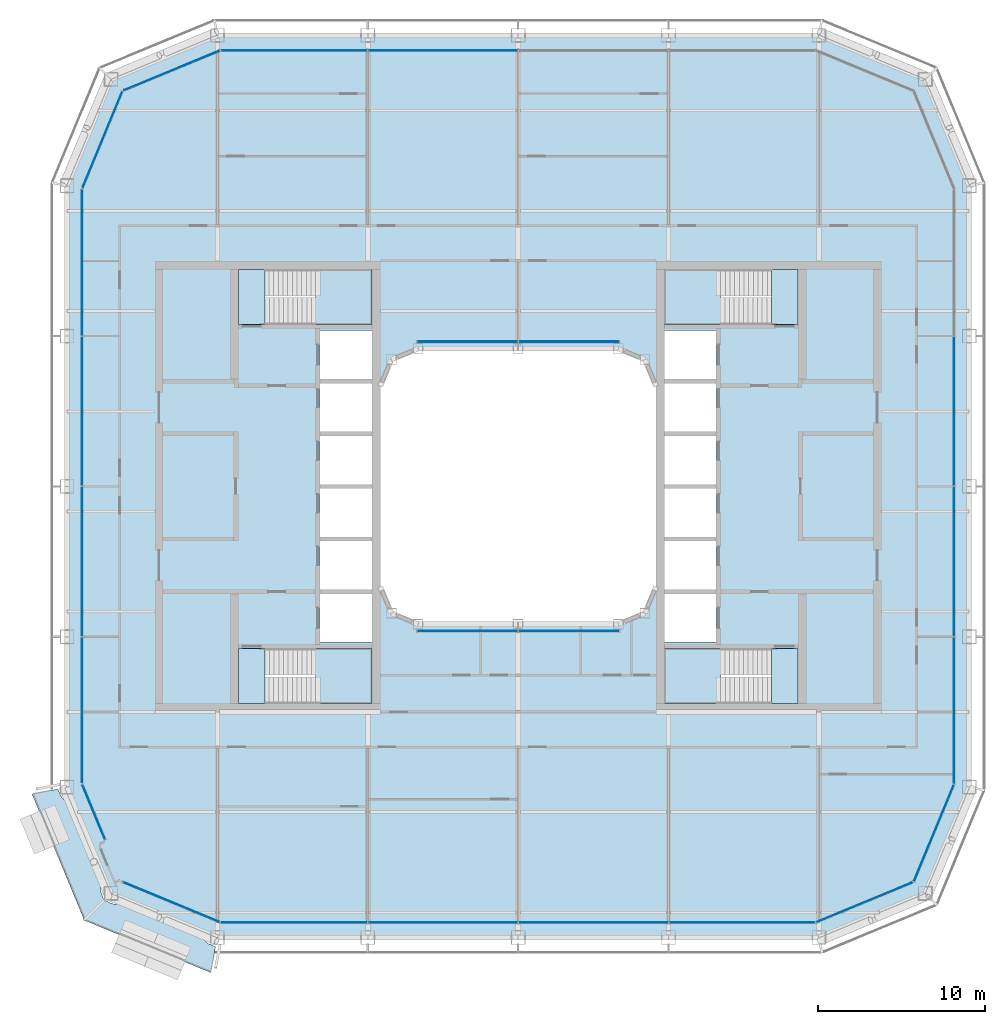
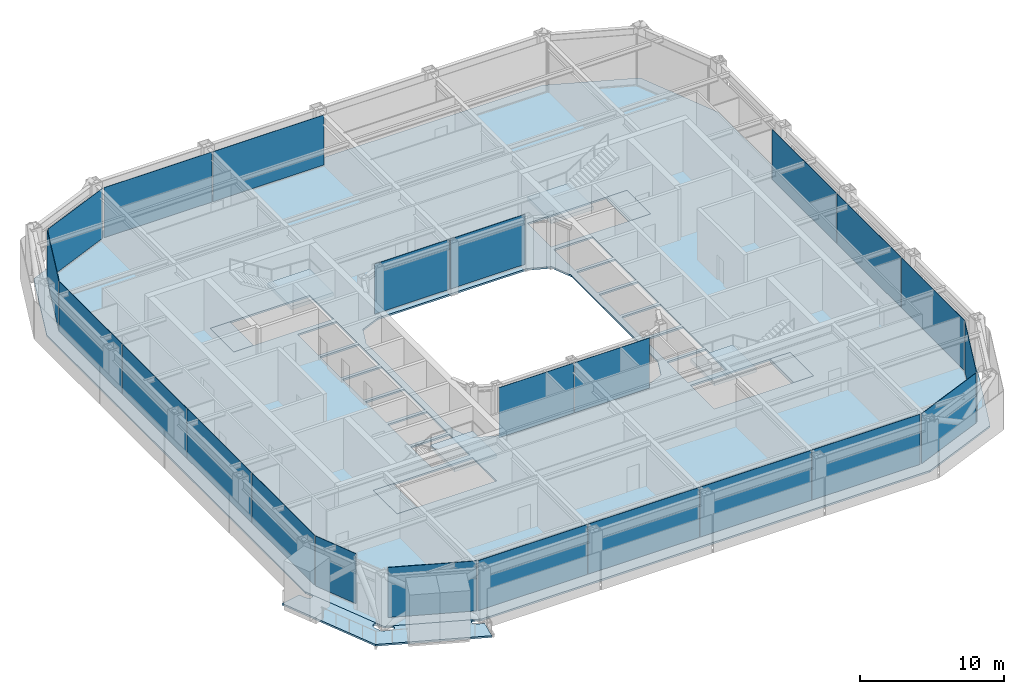
# One storey, part 11 of 23: 23 plates, 10 slabs, 16 elements without a shape of their own.
"""IFC4 building model written with IfcOpenShell, lengths in metres."""

from ifc_helpers import new_model, si_unit, direction, frame, origin, origin_2d, place, context, subcontext, project, spatial, polyline, rectangle, outline, extrude, material, layer, layer_set, type_object, element, aggregate, save


model = new_model("IFC4")

# Units and contexts
model_context = context("Model", 3, precision=1e-05, world=origin(), true_north=direction((0.0, 1.0)))
body_context = subcontext(model_context, "Body", "Model", "MODEL_VIEW")
ifc_project = project(units=[si_unit("LENGTHUNIT", "METRE"), si_unit("AREAUNIT", "SQUARE_METRE"), si_unit("VOLUMEUNIT", "CUBIC_METRE"), si_unit("PLANEANGLEUNIT", "RADIAN"), si_unit("MASSUNIT", "GRAM", prefix="KILO")], contexts=[model_context])

# Site, building, storey
site_placement = place(None, origin())
site = spatial("IfcSite", under=ifc_project, at=site_placement, CompositionType="ELEMENT")
building_placement = place(site_placement, origin())
building = spatial("IfcBuilding", under=site, at=building_placement, Name="Siwar Civic Tower", CompositionType="ELEMENT")
storey_placement = place(building_placement, frame((0.0, 0.0, 233.199951171875)))
storey = spatial("IfcBuildingStorey", under=building, at=storey_placement, Name="L50", CompositionType="ELEMENT", Elevation=233.199951171875)

# Stair, slabs
ifc_material_1 = material(Name="Concrete C40/50", Category="concrete")
stair_type = type_object("IfcStairType", Name="CORE-STAIR", PredefinedType="TWO_STRAIGHT_RUN_STAIR", material=ifc_material_1)
stair_1_placement = place(storey_placement, origin())
stair_1 = element("IfcStair", 1, at=stair_1_placement, inside=storey, type_object=stair_type, Name="Exit stair ST1", PredefinedType="TWO_STRAIGHT_RUN_STAIR")
ifc_material_2 = material(Name="Concrete C40/50", Category="concrete")
ifc_layer_1 = layer(ifc_material_2, 0.300048828125)
ifc_layer_set_1 = layer_set([ifc_layer_1], Name="Concrete C40/50")
slab_type_1 = type_object("IfcSlabType", Name="CORE-STAIR-LANDING", PredefinedType="LANDING", material=ifc_layer_set_1)
slab_1_placement = place(storey_placement, frame((0.0, 0.0, -0.300048828125)))
slab_1 = element("IfcSlab", 2, at=slab_1_placement, type_object=slab_type_1, Name="ST1 landing 1", PredefinedType="LANDING", context=body_context, shape_type="SweptSolid", body=[
    extrude(outline(polyline([(-15.14990234375, 13.0), (-16.75, 13.0), (-16.75, 9.699951171875), (-15.14990234375, 9.699951171875), (-15.14990234375, 13.0)])), origin(), (0.0, 0.0, 1.0), 0.300048828125),
])
slab_2_placement = place(storey_placement, frame((0.0, 0.0, 1.949951171875)))
slab_2 = element("IfcSlab", 3, at=slab_2_placement, type_object=slab_type_1, Name="ST1 landing 2", PredefinedType="LANDING", context=body_context, shape_type="SweptSolid", body=[
    extrude(outline(polyline([(-8.75, 13.0), (-12.139892578125, 13.0), (-12.139892578125, 9.699951171875), (-8.75, 9.699951171875), (-8.75, 13.0)])), origin(), (0.0, 0.0, 1.0), 0.300048828125),
])
aggregate(stair_1, [slab_1, slab_2])

stair_2_placement = place(storey_placement, origin())
stair_2 = element("IfcStair", 4, at=stair_2_placement, inside=storey, type_object=stair_type, Name="Exit stair ST2", PredefinedType="TWO_STRAIGHT_RUN_STAIR")
slab_3_placement = place(storey_placement, frame((0.0, 0.0, -0.300048828125)))
slab_3 = element("IfcSlab", 5, at=slab_3_placement, type_object=slab_type_1, Name="ST2 landing 1", PredefinedType="LANDING", context=body_context, shape_type="SweptSolid", body=[
    extrude(outline(polyline([(-15.14990234375, -9.699951171875), (-16.75, -9.699951171875), (-16.75, -13.0), (-15.14990234375, -13.0), (-15.14990234375, -9.699951171875)])), origin(), (0.0, 0.0, 1.0), 0.300048828125),
])
slab_4_placement = place(storey_placement, frame((0.0, 0.0, 1.949951171875)))
slab_4 = element("IfcSlab", 6, at=slab_4_placement, type_object=slab_type_1, Name="ST2 landing 2", PredefinedType="LANDING", context=body_context, shape_type="SweptSolid", body=[
    extrude(outline(polyline([(-8.75, -9.699951171875), (-12.139892578125, -9.699951171875), (-12.139892578125, -13.0), (-8.75, -13.0), (-8.75, -9.699951171875)])), origin(), (0.0, 0.0, 1.0), 0.300048828125),
])
aggregate(stair_2, [slab_3, slab_4])

stair_3_placement = place(storey_placement, origin())
stair_3 = element("IfcStair", 7, at=stair_3_placement, inside=storey, type_object=stair_type, Name="Exit stair ST3", PredefinedType="TWO_STRAIGHT_RUN_STAIR")
slab_5_placement = place(storey_placement, frame((0.0, 0.0, -0.300048828125)))
slab_5 = element("IfcSlab", 8, at=slab_5_placement, type_object=slab_type_1, Name="ST3 landing 1", PredefinedType="LANDING", context=body_context, shape_type="SweptSolid", body=[
    extrude(outline(polyline([(15.14990234375, 9.699951171875), (16.75, 9.699951171875), (16.75, 13.0), (15.14990234375, 13.0), (15.14990234375, 9.699951171875)])), origin(), (0.0, 0.0, 1.0), 0.300048828125),
])
slab_6_placement = place(storey_placement, frame((0.0, 0.0, 1.949951171875)))
slab_6 = element("IfcSlab", 9, at=slab_6_placement, type_object=slab_type_1, Name="ST3 landing 2", PredefinedType="LANDING", context=body_context, shape_type="SweptSolid", body=[
    extrude(outline(polyline([(8.75, 9.699951171875), (12.139892578125, 9.699951171875), (12.139892578125, 13.0), (8.75, 13.0), (8.75, 9.699951171875)])), origin(), (0.0, 0.0, 1.0), 0.300048828125),
])
aggregate(stair_3, [slab_5, slab_6])

stair_4_placement = place(storey_placement, origin())
stair_4 = element("IfcStair", 10, at=stair_4_placement, inside=storey, type_object=stair_type, Name="Exit stair ST4", PredefinedType="TWO_STRAIGHT_RUN_STAIR")
slab_7_placement = place(storey_placement, frame((0.0, 0.0, -0.300048828125)))
slab_7 = element("IfcSlab", 11, at=slab_7_placement, type_object=slab_type_1, Name="ST4 landing 1", PredefinedType="LANDING", context=body_context, shape_type="SweptSolid", body=[
    extrude(outline(polyline([(15.14990234375, -13.0), (16.75, -13.0), (16.75, -9.699951171875), (15.14990234375, -9.699951171875), (15.14990234375, -13.0)])), origin(), (0.0, 0.0, 1.0), 0.300048828125),
])
slab_8_placement = place(storey_placement, frame((0.0, 0.0, 1.949951171875)))
slab_8 = element("IfcSlab", 12, at=slab_8_placement, type_object=slab_type_1, Name="ST4 landing 2", PredefinedType="LANDING", context=body_context, shape_type="SweptSolid", body=[
    extrude(outline(polyline([(8.75, -13.0), (12.139892578125, -13.0), (12.139892578125, -9.699951171875), (8.75, -9.699951171875), (8.75, -13.0)])), origin(), (0.0, 0.0, 1.0), 0.300048828125),
])
aggregate(stair_4, [slab_7, slab_8])

# Slab
ifc_material_3 = material(Name="Concrete C40/50", Category="concrete")
ifc_layer_2 = layer(ifc_material_3, 0.14990234375)
ifc_layer_set_2 = layer_set([ifc_layer_2], Name="Concrete C40/50")
slab_type_2 = type_object("IfcSlabType", Name="ENV-BALCONY DECK 150", PredefinedType="FLOOR", material=ifc_layer_set_2)
slab_9_placement = place(storey_placement, frame((0.0, 0.0, -0.1494140625)))
element("IfcSlab", 13, at=slab_9_placement, inside=storey, type_object=slab_type_2, Name="Tree balcony deck SW", PredefinedType="FLOOR", context=body_context, shape_type="SweptSolid", body=[
    extrude(outline(polyline([(-24.66552734375, -24.81689453125), (-24.6796875, -24.808837890625), (-24.68701171875, -24.80419921875), (-24.693603515625, -24.798583984375), (-24.7041015625, -24.7890625), (-24.7890625, -24.7890625), (-24.7890625, -24.712646484375), (-24.801025390625, -24.695556640625), (-24.806640625, -24.686279296875), (-24.818603515625, -24.662353515625), (-24.82080078125, -24.657470703125), (-24.82080078125, -24.657470703125), (-24.82080078125, -24.657470703125), (-24.82080078125, -24.657470703125), (-24.82080078125, -24.657470703125), (-24.82421875, -24.649658203125), (-24.924560546875, -24.40869140625), (-24.94384765625, -24.362060546875), (-24.94482421875, -24.35986328125), (-24.96533203125, -24.305419921875), (-24.967041015625, -24.300537109375), (-24.98388671875, -24.244873046875), (-24.985595703125, -24.238037109375), (-24.99560546875, -24.189208984375), (-24.99658203125, -24.183837890625), (-25.002685546875, -24.13427734375), (-25.003173828125, -24.12890625), (-25.006103515625, -24.0791015625), (-25.006103515625, -24.073974609375), (-25.005615234375, -24.024169921875), (-25.00537109375, -24.0185546875), (-25.004638671875, -24.0126953125), (-24.99755859375, -23.970947265625), (-24.995849609375, -23.96337890625), (-24.993408203125, -23.9560546875), (-24.98046875, -23.922607421875), (-24.978271484375, -23.91748046875), (-24.962646484375, -23.88525390625), (-24.96044921875, -23.880615234375), (-24.942626953125, -23.849365234375), (-24.93896484375, -23.84326171875), (-24.9345703125, -23.837646484375), (-24.9296875, -23.83251953125), (-24.906982421875, -23.810546875), (-24.900634765625, -23.804931640625), (-24.8935546875, -23.80029296875), (-24.885986328125, -23.796142578125), (-24.85888671875, -23.78369140625), (-24.85400390625, -23.78173828125), (-24.826171875, -23.771240234375), (-24.818115234375, -23.768798828125), (-24.8095703125, -23.76708984375), (-24.80126953125, -23.7666015625), (-24.769775390625, -23.765869140625), (-24.762451171875, -23.76611328125), (-24.75537109375, -23.766845703125), (-24.74853515625, -23.7685546875), (-24.7138671875, -23.77783203125), (-24.708984375, -23.779541015625), (-24.675048828125, -23.791259765625), (-24.669921875, -23.793212890625), (-24.636962890625, -23.8076171875), (-24.630126953125, -23.81103515625), (-24.62353515625, -23.815185546875), (-24.5888671875, -23.839599609375), (-24.58447265625, -23.84326171875), (-24.580078125, -23.846923828125), (-24.57666015625, -23.85009765625), (-26.77978515625, -18.531494140625), (-26.7802734375, -18.5654296875), (-26.780517578125, -18.5712890625), (-26.78125, -18.576904296875), (-26.788330078125, -18.61865234375), (-26.789794921875, -18.626220703125), (-26.792236328125, -18.633544921875), (-26.805419921875, -18.6669921875), (-26.8076171875, -18.672119140625), (-26.822998046875, -18.70458984375), (-26.825439453125, -18.709228515625), (-26.84326171875, -18.740234375), (-26.846923828125, -18.746337890625), (-26.851318359375, -18.751953125), (-26.856201171875, -18.75732421875), (-26.87890625, -18.779052734375), (-26.88525390625, -18.78466796875), (-26.892333984375, -18.78955078125), (-26.899658203125, -18.79345703125), (-26.927001953125, -18.805908203125), (-26.931884765625, -18.80810546875), (-26.959716796875, -18.818603515625), (-26.9677734375, -18.821044921875), (-26.97607421875, -18.82275390625), (-26.984619140625, -18.8232421875), (-27.01611328125, -18.823974609375), (-27.023193359375, -18.82373046875), (-27.0302734375, -18.82275390625), (-27.037353515625, -18.8212890625), (-27.072021484375, -18.811767578125), (-27.076904296875, -18.810302734375), (-27.11083984375, -18.79833984375), (-27.115966796875, -18.79638671875), (-27.14892578125, -18.7822265625), (-27.15576171875, -18.77880859375), (-27.162353515625, -18.774658203125), (-27.197021484375, -18.75), (-27.201416015625, -18.74658203125), (-27.205810546875, -18.74267578125), (-27.241455078125, -18.7080078125), (-27.2451171875, -18.704345703125), (-27.278564453125, -18.667236328125), (-27.281982421875, -18.663330078125), (-27.312744140625, -18.623779296875), (-27.31591796875, -18.619384765625), (-27.343505859375, -18.577880859375), (-27.34716796875, -18.57177734375), (-27.374755859375, -18.520751953125), (-27.377197265625, -18.51611328125), (-27.4013671875, -18.463134765625), (-27.40234375, -18.4609375), (-27.405517578125, -18.453125), (-27.417236328125, -18.425048828125), (-27.425048828125, -18.425048828125), (-27.425048828125, -18.406494140625), (-27.522216796875, -18.17333984375), (-27.525390625, -18.16552734375), (-27.525390625, -18.16552734375), (-27.52783203125, -18.15869140625), (-27.533935546875, -18.13916015625), (-27.53564453125, -18.13232421875), (-27.53662109375, -18.12548828125), (-27.538818359375, -18.107177734375), (-29.10009765625, -18.417724609375), (-25.97119140625, -25.97119140625), (-18.417724609375, -29.10009765625), (-18.106689453125, -27.5361328125), (-18.107421875, -27.5361328125), (-18.1240234375, -27.535400390625), (-18.1328125, -27.53466796875), (-18.141357421875, -27.53271484375), (-18.156982421875, -27.5283203125), (-18.16552734375, -27.525390625), (-18.170166015625, -27.5234375), (-18.17333984375, -27.522216796875), (-18.18896484375, -27.515625), (-18.227783203125, -27.49951171875), (-18.240234375, -27.494140625), (-18.406494140625, -27.425048828125), (-18.425048828125, -27.425048828125), (-18.425048828125, -27.417236328125), (-18.453125, -27.405517578125), (-18.4609375, -27.40234375), (-18.463134765625, -27.4013671875), (-18.51611328125, -27.377197265625), (-18.520751953125, -27.374755859375), (-18.57177734375, -27.34716796875), (-18.577880859375, -27.343505859375), (-18.619384765625, -27.31591796875), (-18.623779296875, -27.312744140625), (-18.663330078125, -27.281982421875), (-18.667236328125, -27.278564453125), (-18.704345703125, -27.2451171875), (-18.7080078125, -27.241455078125), (-18.74267578125, -27.205810546875), (-18.74658203125, -27.201416015625), (-18.75, -27.197021484375), (-18.774658203125, -27.162353515625), (-18.77880859375, -27.15576171875), (-18.7822265625, -27.14892578125), (-18.79638671875, -27.115966796875), (-18.79833984375, -27.11083984375), (-18.810302734375, -27.076904296875), (-18.811767578125, -27.072021484375), (-18.8212890625, -27.037353515625), (-18.82275390625, -27.0302734375), (-18.82373046875, -27.023193359375), (-18.823974609375, -27.01611328125), (-18.8232421875, -26.984619140625), (-18.82275390625, -26.97607421875), (-18.821044921875, -26.9677734375), (-18.818603515625, -26.959716796875), (-18.80810546875, -26.931884765625), (-18.805908203125, -26.927001953125), (-18.79345703125, -26.899658203125), (-18.78955078125, -26.892333984375), (-18.78466796875, -26.88525390625), (-18.779052734375, -26.87890625), (-18.75732421875, -26.856201171875), (-18.751953125, -26.851318359375), (-18.746337890625, -26.846923828125), (-18.740234375, -26.84326171875), (-18.709228515625, -26.825439453125), (-18.70458984375, -26.822998046875), (-18.672119140625, -26.8076171875), (-18.6669921875, -26.805419921875), (-18.633544921875, -26.792236328125), (-18.626220703125, -26.789794921875), (-18.61865234375, -26.788330078125), (-18.576904296875, -26.78125), (-18.5712890625, -26.780517578125), (-18.5654296875, -26.7802734375), (-18.531494140625, -26.77978515625), (-23.85009765625, -24.57666015625), (-23.846923828125, -24.580078125), (-23.84326171875, -24.58447265625), (-23.839599609375, -24.5888671875), (-23.815185546875, -24.62353515625), (-23.81103515625, -24.630126953125), (-23.8076171875, -24.636962890625), (-23.793212890625, -24.669921875), (-23.791259765625, -24.675048828125), (-23.779541015625, -24.708984375), (-23.77783203125, -24.7138671875), (-23.7685546875, -24.74853515625), (-23.766845703125, -24.75537109375), (-23.76611328125, -24.762451171875), (-23.765869140625, -24.769775390625), (-23.7666015625, -24.80126953125), (-23.76708984375, -24.8095703125), (-23.768798828125, -24.818115234375), (-23.771240234375, -24.826171875), (-23.78173828125, -24.85400390625), (-23.78369140625, -24.85888671875), (-23.796142578125, -24.885986328125), (-23.80029296875, -24.8935546875), (-23.804931640625, -24.900634765625), (-23.810546875, -24.906982421875), (-23.83251953125, -24.9296875), (-23.837646484375, -24.9345703125), (-23.84326171875, -24.93896484375), (-23.849365234375, -24.942626953125), (-23.880615234375, -24.96044921875), (-23.88525390625, -24.962646484375), (-23.91748046875, -24.978271484375), (-23.922607421875, -24.98046875), (-23.9560546875, -24.993408203125), (-23.96337890625, -24.995849609375), (-23.970947265625, -24.99755859375), (-24.0126953125, -25.004638671875), (-24.0185546875, -25.00537109375), (-24.024169921875, -25.005615234375), (-24.073974609375, -25.006103515625), (-24.0791015625, -25.006103515625), (-24.12890625, -25.003173828125), (-24.13427734375, -25.002685546875), (-24.183837890625, -24.99658203125), (-24.189208984375, -24.99560546875), (-24.238037109375, -24.985595703125), (-24.244873046875, -24.98388671875), (-24.300537109375, -24.967041015625), (-24.305419921875, -24.96533203125), (-24.35986328125, -24.94482421875), (-24.362060546875, -24.94384765625), (-24.40869140625, -24.924560546875), (-24.649658203125, -24.82421875), (-24.657470703125, -24.82080078125), (-24.66552734375, -24.81689453125)])), origin(), (0.0, 0.0, 1.0), 0.1494140625),
])

# Curtain wall, plates
ifc_material_4 = material(Name="Aluminium and glass", Category="aluminium")
ifc_layer_3 = layer(ifc_material_4, 0.179931640625)
ifc_layer_set_3 = layer_set([ifc_layer_3], Name="Aluminium and glass")
curtain_wall_type_1 = type_object("IfcCurtainWallType", Name="ENV-CW-C", PredefinedType="NOTDEFINED", material=ifc_layer_set_3)
curtain_wall_1_placement = place(storey_placement, origin())
curtain_wall_1 = element("IfcCurtainWall", 14, at=curtain_wall_1_placement, inside=storey, type_object=curtain_wall_type_1, Name="Curtain wall C S", PredefinedType="NOTDEFINED")
ifc_material_5 = material(Name="Glass clear laminated", Category="glass")
ifc_layer_4 = layer(ifc_material_5, 0.031982421875)
ifc_layer_set_4 = layer_set([ifc_layer_4], Name="Glass clear laminated")
plate_type_1 = type_object("IfcPlateType", Name="ENV-PANEL-C", PredefinedType="CURTAIN_PANEL", material=ifc_layer_set_4)
plate_1_placement = place(storey_placement, frame((-13.410400390625, -26.10009765625, 0.10009765625), z_axis=(0.0, 0.0, 1.0), x_axis=(1.0, 0.0, 0.0)))
plate_1 = element("IfcPlate", 15, at=plate_1_placement, type_object=plate_type_1, Name="Curtain panel C S 1", PredefinedType="CURTAIN_PANEL", context=body_context, shape_type="SweptSolid", body=[
    extrude(rectangle(XDim=8.760986328125, YDim=0.031982421875, at=origin_2d()), origin(), (0.0, 0.0, 1.0), 4.25),
])
plate_2_placement = place(storey_placement, frame((-4.5, -26.10009765625, 0.10009765625), z_axis=(0.0, 0.0, 1.0), x_axis=(1.0, 0.0, 0.0)))
plate_2 = element("IfcPlate", 16, at=plate_2_placement, type_object=plate_type_1, Name="Curtain panel C S 2", PredefinedType="CURTAIN_PANEL", context=body_context, shape_type="SweptSolid", body=[
    extrude(rectangle(XDim=8.93994140625, YDim=0.031982421875, at=origin_2d()), origin(), (0.0, 0.0, 1.0), 4.25),
])
plate_3_placement = place(storey_placement, frame((4.5, -26.10009765625, 0.10009765625), z_axis=(0.0, 0.0, 1.0), x_axis=(1.0, 0.0, 0.0)))
plate_3 = element("IfcPlate", 17, at=plate_3_placement, type_object=plate_type_1, Name="Curtain panel C S 3", PredefinedType="CURTAIN_PANEL", context=body_context, shape_type="SweptSolid", body=[
    extrude(rectangle(XDim=8.93994140625, YDim=0.031982421875, at=origin_2d()), origin(), (0.0, 0.0, 1.0), 4.25),
])
plate_4_placement = place(storey_placement, frame((13.373046875, -26.10009765625, 0.10009765625), z_axis=(0.0, 0.0, 1.0), x_axis=(1.0, 0.0, 0.0)))
plate_4 = element("IfcPlate", 18, at=plate_4_placement, type_object=plate_type_1, Name="Curtain panel C S 4", PredefinedType="CURTAIN_PANEL", context=body_context, shape_type="SweptSolid", body=[
    extrude(rectangle(XDim=8.68603515625, YDim=0.031982421875, at=origin_2d()), origin(), (0.0, 0.0, 1.0), 4.25),
])
aggregate(curtain_wall_1, [plate_1, plate_2, plate_3, plate_4])

curtain_wall_2_placement = place(storey_placement, origin())
curtain_wall_2 = element("IfcCurtainWall", 19, at=curtain_wall_2_placement, inside=storey, type_object=curtain_wall_type_1, Name="Curtain wall C E", PredefinedType="NOTDEFINED")
plate_5_placement = place(storey_placement, frame((26.10009765625, -13.410400390625, 0.10009765625), z_axis=(0.0, 0.0, 1.0), x_axis=(0.0, 1.0, 0.0)))
plate_5 = element("IfcPlate", 20, at=plate_5_placement, type_object=plate_type_1, Name="Curtain panel C E 1", PredefinedType="CURTAIN_PANEL", context=body_context, shape_type="SweptSolid", body=[
    extrude(rectangle(XDim=8.760986328125, YDim=0.031982421875, at=origin_2d()), origin(), (0.0, 0.0, 1.0), 4.25),
])
plate_6_placement = place(storey_placement, frame((26.10009765625, -4.5, 0.10009765625), z_axis=(0.0, 0.0, 1.0), x_axis=(0.0, 1.0, 0.0)))
plate_6 = element("IfcPlate", 21, at=plate_6_placement, type_object=plate_type_1, Name="Curtain panel C E 2", PredefinedType="CURTAIN_PANEL", context=body_context, shape_type="SweptSolid", body=[
    extrude(rectangle(XDim=8.93994140625, YDim=0.031982421875, at=origin_2d()), origin(), (0.0, 0.0, 1.0), 4.25),
])
plate_7_placement = place(storey_placement, frame((26.10009765625, 4.5, 0.10009765625), z_axis=(0.0, 0.0, 1.0), x_axis=(0.0, 1.0, 0.0)))
plate_7 = element("IfcPlate", 22, at=plate_7_placement, type_object=plate_type_1, Name="Curtain panel C E 3", PredefinedType="CURTAIN_PANEL", context=body_context, shape_type="SweptSolid", body=[
    extrude(rectangle(XDim=8.93994140625, YDim=0.031982421875, at=origin_2d()), origin(), (0.0, 0.0, 1.0), 4.25),
])
aggregate(curtain_wall_2, [plate_5, plate_6, plate_7])

curtain_wall_3_placement = place(storey_placement, origin())
curtain_wall_3 = element("IfcCurtainWall", 23, at=curtain_wall_3_placement, inside=storey, type_object=curtain_wall_type_1, Name="Curtain wall C N", PredefinedType="NOTDEFINED")
plate_8_placement = place(storey_placement, frame((-4.5, 26.10009765625, 0.10009765625), z_axis=(0.0, 0.0, 1.0), x_axis=(-1.0, 0.0, 0.0)))
plate_8 = element("IfcPlate", 24, at=plate_8_placement, type_object=plate_type_1, Name="Curtain panel C N 3", PredefinedType="CURTAIN_PANEL", context=body_context, shape_type="SweptSolid", body=[
    extrude(rectangle(XDim=8.93994140625, YDim=0.031982421875, at=origin_2d()), origin(), (0.0, 0.0, 1.0), 4.25),
])
plate_9_placement = place(storey_placement, frame((-13.373046875, 26.10009765625, 0.10009765625), z_axis=(0.0, 0.0, 1.0), x_axis=(-1.0, 0.0, 0.0)))
plate_9 = element("IfcPlate", 25, at=plate_9_placement, type_object=plate_type_1, Name="Curtain panel C N 4", PredefinedType="CURTAIN_PANEL", context=body_context, shape_type="SweptSolid", body=[
    extrude(rectangle(XDim=8.68603515625, YDim=0.031982421875, at=origin_2d()), origin(), (0.0, 0.0, 1.0), 4.25),
])
aggregate(curtain_wall_3, [plate_8, plate_9])

curtain_wall_4_placement = place(storey_placement, origin())
curtain_wall_4 = element("IfcCurtainWall", 26, at=curtain_wall_4_placement, inside=storey, type_object=curtain_wall_type_1, Name="Curtain wall C W", PredefinedType="NOTDEFINED")
plate_10_placement = place(storey_placement, frame((-26.10009765625, 13.410400390625, 0.10009765625), z_axis=(0.0, 0.0, 1.0), x_axis=(0.0, -1.0, 0.0)))
plate_10 = element("IfcPlate", 27, at=plate_10_placement, type_object=plate_type_1, Name="Curtain panel C W 1", PredefinedType="CURTAIN_PANEL", context=body_context, shape_type="SweptSolid", body=[
    extrude(rectangle(XDim=8.760986328125, YDim=0.031982421875, at=origin_2d()), origin(), (0.0, 0.0, 1.0), 4.25),
])
plate_11_placement = place(storey_placement, frame((-26.10009765625, 4.5, 0.10009765625), z_axis=(0.0, 0.0, 1.0), x_axis=(0.0, -1.0, 0.0)))
plate_11 = element("IfcPlate", 28, at=plate_11_placement, type_object=plate_type_1, Name="Curtain panel C W 2", PredefinedType="CURTAIN_PANEL", context=body_context, shape_type="SweptSolid", body=[
    extrude(rectangle(XDim=8.93994140625, YDim=0.031982421875, at=origin_2d()), origin(), (0.0, 0.0, 1.0), 4.25),
])
plate_12_placement = place(storey_placement, frame((-26.10009765625, -4.5, 0.10009765625), z_axis=(0.0, 0.0, 1.0), x_axis=(0.0, -1.0, 0.0)))
plate_12 = element("IfcPlate", 29, at=plate_12_placement, type_object=plate_type_1, Name="Curtain panel C W 3", PredefinedType="CURTAIN_PANEL", context=body_context, shape_type="SweptSolid", body=[
    extrude(rectangle(XDim=8.93994140625, YDim=0.031982421875, at=origin_2d()), origin(), (0.0, 0.0, 1.0), 4.25),
])
plate_13_placement = place(storey_placement, frame((-26.10009765625, -13.373046875, 0.10009765625), z_axis=(0.0, 0.0, 1.0), x_axis=(0.0, -1.0, 0.0)))
plate_13 = element("IfcPlate", 30, at=plate_13_placement, type_object=plate_type_1, Name="Curtain panel C W 4", PredefinedType="CURTAIN_PANEL", context=body_context, shape_type="SweptSolid", body=[
    extrude(rectangle(XDim=8.68603515625, YDim=0.031982421875, at=origin_2d()), origin(), (0.0, 0.0, 1.0), 4.25),
])
aggregate(curtain_wall_4, [plate_10, plate_11, plate_12, plate_13])

# Curtain wall, plate
ifc_material_6 = material(Name="Aluminium clad insulated panel", Category="aluminium")
ifc_layer_5 = layer(ifc_material_6, 0.179931640625)
ifc_layer_set_5 = layer_set([ifc_layer_5], Name="Aluminium clad insulated panel")
curtain_wall_type_2 = type_object("IfcCurtainWallType", Name="ENV-CW-CX", PredefinedType="NOTDEFINED", material=ifc_layer_set_5)
curtain_wall_5_placement = place(storey_placement, origin())
curtain_wall_5 = element("IfcCurtainWall", 31, at=curtain_wall_5_placement, inside=storey, type_object=curtain_wall_type_2, Name="Curtain wall C SE1", PredefinedType="NOTDEFINED")
ifc_material_7 = material(Name="Aluminium clad insulated panel", Category="aluminium")
ifc_layer_6 = layer(ifc_material_7, 0.031982421875)
ifc_layer_set_6 = layer_set([ifc_layer_6], Name="Aluminium clad insulated panel")
plate_type_2 = type_object("IfcPlateType", Name="ENV-PANEL-CX", PredefinedType="CURTAIN_PANEL", material=ifc_layer_set_6)
plate_14_placement = place(storey_placement, frame((20.71337890625, -24.90185546875, 0.10009765625), z_axis=(0.0, 0.0, 1.0), x_axis=(0.923879532511, 0.382683432365, 0.0)))
plate_14 = element("IfcPlate", 32, at=plate_14_placement, type_object=plate_type_2, Name="Curtain panel C SE1 1", PredefinedType="CURTAIN_PANEL", context=body_context, shape_type="SweptSolid", body=[
    extrude(rectangle(XDim=6.20166015625, YDim=0.031982421875, at=origin_2d()), origin(), (0.0, 0.0, 1.0), 4.25),
])
aggregate(curtain_wall_5, [plate_14])

curtain_wall_6_placement = place(storey_placement, origin())
curtain_wall_6 = element("IfcCurtainWall", 33, at=curtain_wall_6_placement, inside=storey, type_object=curtain_wall_type_2, Name="Curtain wall C SE2", PredefinedType="NOTDEFINED")
plate_15_placement = place(storey_placement, frame((24.873291015625, -20.78271484375, 0.10009765625), z_axis=(0.0, 0.0, 1.0), x_axis=(0.382683432365, 0.923879532511, 0.0)))
plate_15 = element("IfcPlate", 34, at=plate_15_placement, type_object=plate_type_2, Name="Curtain panel C SE2 1", PredefinedType="CURTAIN_PANEL", context=body_context, shape_type="SweptSolid", body=[
    extrude(rectangle(XDim=6.20166015625, YDim=0.031982421875, at=origin_2d()), origin(), (0.0, 0.0, 1.0), 4.25),
])
aggregate(curtain_wall_6, [plate_15])

curtain_wall_7_placement = place(storey_placement, origin())
curtain_wall_7 = element("IfcCurtainWall", 35, at=curtain_wall_7_placement, inside=storey, type_object=curtain_wall_type_2, Name="Curtain wall C NW1", PredefinedType="NOTDEFINED")
plate_16_placement = place(storey_placement, frame((-20.71337890625, 24.90185546875, 0.10009765625), z_axis=(0.0, 0.0, 1.0), x_axis=(-0.923879532511, -0.382683432365, 0.0)))
plate_16 = element("IfcPlate", 36, at=plate_16_placement, type_object=plate_type_2, Name="Curtain panel C NW1 1", PredefinedType="CURTAIN_PANEL", context=body_context, shape_type="SweptSolid", body=[
    extrude(rectangle(XDim=6.20166015625, YDim=0.031982421875, at=origin_2d()), origin(), (0.0, 0.0, 1.0), 4.25),
])
aggregate(curtain_wall_7, [plate_16])

curtain_wall_8_placement = place(storey_placement, origin())
curtain_wall_8 = element("IfcCurtainWall", 37, at=curtain_wall_8_placement, inside=storey, type_object=curtain_wall_type_2, Name="Curtain wall C NW2", PredefinedType="NOTDEFINED")
plate_17_placement = place(storey_placement, frame((-24.873291015625, 20.78271484375, 0.10009765625), z_axis=(0.0, 0.0, 1.0), x_axis=(-0.382683432365, -0.923879532511, 0.0)))
plate_17 = element("IfcPlate", 38, at=plate_17_placement, type_object=plate_type_2, Name="Curtain panel C NW2 1", PredefinedType="CURTAIN_PANEL", context=body_context, shape_type="SweptSolid", body=[
    extrude(rectangle(XDim=6.20166015625, YDim=0.031982421875, at=origin_2d()), origin(), (0.0, 0.0, 1.0), 4.25),
])
aggregate(curtain_wall_8, [plate_17])

curtain_wall_9_placement = place(storey_placement, origin())
curtain_wall_9 = element("IfcCurtainWall", 39, at=curtain_wall_9_placement, inside=storey, type_object=curtain_wall_type_2, Name="Curtain wall C SW1", PredefinedType="NOTDEFINED")
plate_18_placement = place(storey_placement, frame((-25.40966796875, -19.4873046875, 0.10009765625), z_axis=(0.0, 0.0, 1.0), x_axis=(0.382683432365, -0.923879532511, 0.0)))
plate_18 = element("IfcPlate", 40, at=plate_18_placement, type_object=plate_type_2, Name="Curtain panel C SW1 1", PredefinedType="CURTAIN_PANEL", context=body_context, shape_type="SweptSolid", body=[
    extrude(rectangle(XDim=3.54736328125, YDim=0.031982421875, at=origin_2d()), origin(), (0.0, 0.0, 1.0), 4.25),
])
aggregate(curtain_wall_9, [plate_18])

curtain_wall_10_placement = place(storey_placement, origin())
curtain_wall_10 = element("IfcCurtainWall", 41, at=curtain_wall_10_placement, inside=storey, type_object=curtain_wall_type_2, Name="Curtain wall C SW2", PredefinedType="NOTDEFINED")
plate_19_placement = place(storey_placement, frame((-20.78271484375, -24.873291015625, 0.10009765625), z_axis=(0.0, 0.0, 1.0), x_axis=(0.923879532511, -0.382683432365, 0.0)))
plate_19 = element("IfcPlate", 42, at=plate_19_placement, type_object=plate_type_2, Name="Curtain panel C SW2 1", PredefinedType="CURTAIN_PANEL", context=body_context, shape_type="SweptSolid", body=[
    extrude(rectangle(XDim=6.20166015625, YDim=0.031982421875, at=origin_2d()), origin(), (0.0, 0.0, 1.0), 4.25),
])
aggregate(curtain_wall_10, [plate_19])

# Curtain wall, plates
ifc_material_8 = material(Name="Aluminium and glass", Category="aluminium")
ifc_layer_7 = layer(ifc_material_8, 0.179931640625)
ifc_layer_set_7 = layer_set([ifc_layer_7], Name="Aluminium and glass")
curtain_wall_type_3 = type_object("IfcCurtainWallType", Name="ENV-CW-W", PredefinedType="NOTDEFINED", material=ifc_layer_set_7)
curtain_wall_11_placement = place(storey_placement, origin())
curtain_wall_11 = element("IfcCurtainWall", 43, at=curtain_wall_11_placement, inside=storey, type_object=curtain_wall_type_3, Name="Curtain wall W WS", PredefinedType="NOTDEFINED")
ifc_material_9 = material(Name="Glass clear laminated", Category="glass")
ifc_layer_8 = layer(ifc_material_9, 0.031982421875)
ifc_layer_set_8 = layer_set([ifc_layer_8], Name="Glass clear laminated")
plate_type_3 = type_object("IfcPlateType", Name="ENV-PANEL-W", PredefinedType="CURTAIN_PANEL", material=ifc_layer_set_8)
plate_20_placement = place(storey_placement, frame((-3.040771484375, -8.659912109375, 0.10009765625), z_axis=(0.0, 0.0, 1.0), x_axis=(1.0, 0.0, 0.0)))
plate_20 = element("IfcPlate", 44, at=plate_20_placement, type_object=plate_type_3, Name="Curtain panel W WS 1", PredefinedType="CURTAIN_PANEL", context=body_context, shape_type="SweptSolid", body=[
    extrude(rectangle(XDim=6.021484375, YDim=0.031982421875, at=origin_2d()), origin(), (0.0, 0.0, 1.0), 4.25),
])
plate_21_placement = place(storey_placement, frame((3.040771484375, -8.659912109375, 0.10009765625), z_axis=(0.0, 0.0, 1.0), x_axis=(1.0, 0.0, 0.0)))
plate_21 = element("IfcPlate", 45, at=plate_21_placement, type_object=plate_type_3, Name="Curtain panel W WS 2", PredefinedType="CURTAIN_PANEL", context=body_context, shape_type="SweptSolid", body=[
    extrude(rectangle(XDim=6.021484375, YDim=0.031982421875, at=origin_2d()), origin(), (0.0, 0.0, 1.0), 4.25),
])
aggregate(curtain_wall_11, [plate_20, plate_21])

curtain_wall_12_placement = place(storey_placement, origin())
curtain_wall_12 = element("IfcCurtainWall", 46, at=curtain_wall_12_placement, inside=storey, type_object=curtain_wall_type_3, Name="Curtain wall W WN", PredefinedType="NOTDEFINED")
plate_22_placement = place(storey_placement, frame((3.040771484375, 8.659912109375, 0.10009765625), z_axis=(0.0, 0.0, 1.0), x_axis=(-1.0, 0.0, 0.0)))
plate_22 = element("IfcPlate", 47, at=plate_22_placement, type_object=plate_type_3, Name="Curtain panel W WN 1", PredefinedType="CURTAIN_PANEL", context=body_context, shape_type="SweptSolid", body=[
    extrude(rectangle(XDim=6.021484375, YDim=0.031982421875, at=origin_2d()), origin(), (0.0, 0.0, 1.0), 4.25),
])
plate_23_placement = place(storey_placement, frame((-3.040771484375, 8.659912109375, 0.10009765625), z_axis=(0.0, 0.0, 1.0), x_axis=(-1.0, 0.0, 0.0)))
plate_23 = element("IfcPlate", 48, at=plate_23_placement, type_object=plate_type_3, Name="Curtain panel W WN 2", PredefinedType="CURTAIN_PANEL", context=body_context, shape_type="SweptSolid", body=[
    extrude(rectangle(XDim=6.021484375, YDim=0.031982421875, at=origin_2d()), origin(), (0.0, 0.0, 1.0), 4.25),
])
aggregate(curtain_wall_12, [plate_22, plate_23])

# Slab
ifc_material_10 = material(Name="Concrete C40/50", Category="concrete")
ifc_layer_9 = layer(ifc_material_10, 0.14990234375)
ifc_layer_set_9 = layer_set([ifc_layer_9], Name="Concrete C40/50")
slab_type_3 = type_object("IfcSlabType", Name="STR-FLOOR-DECK-150", PredefinedType="FLOOR", material=ifc_layer_set_9)
slab_10_placement = place(storey_placement, frame((0.0, 0.0, -0.14990234375)))
element("IfcSlab", 49, at=slab_10_placement, inside=storey, type_object=slab_type_3, Name="L50/slab/1", PredefinedType="FLOOR", context=body_context, shape_type="SweptSolid", body=[
    extrude(outline(polyline([(-18.0, -27.0), (18.0, -27.0), (24.364013671875, -24.364013671875), (27.0, -18.0), (27.0, 18.0), (24.364013671875, 24.364013671875), (18.0, 27.0), (-18.0, 27.0), (-24.364013671875, 24.364013671875), (-27.0, 18.0), (-27.0, -18.0), (-24.364013671875, -24.364013671875), (-18.0, -27.0)]), holes=[polyline([(16.75, 13.0), (16.75, 9.699951171875), (8.75, 9.699951171875), (8.75, 13.0), (16.75, 13.0)]), polyline([(8.75, -9.699951171875), (16.75, -9.699951171875), (16.75, -13.0), (8.75, -13.0), (8.75, -9.699951171875)]), polyline([(11.85009765625, 9.324951171875), (11.85009765625, 6.425048828125), (8.75, 6.425048828125), (8.75, 9.324951171875), (11.85009765625, 9.324951171875)]), polyline([(8.75, 6.175048828125), (11.85009765625, 6.175048828125), (11.85009765625, 3.27490234375), (8.75, 3.27490234375), (8.75, 6.175048828125)]), polyline([(8.75, 3.02490234375), (11.85009765625, 3.02490234375), (11.85009765625, 0.125), (8.75, 0.125), (8.75, 3.02490234375)]), polyline([(8.75, -0.125), (11.85009765625, -0.125), (11.85009765625, -3.02490234375), (8.75, -3.02490234375), (8.75, -0.125)]), polyline([(8.75, -3.27490234375), (11.85009765625, -3.27490234375), (11.85009765625, -6.175048828125), (8.75, -6.175048828125), (8.75, -3.27490234375)]), polyline([(8.75, -6.425048828125), (11.85009765625, -6.425048828125), (11.85009765625, -9.324951171875), (8.75, -9.324951171875), (8.75, -6.425048828125)]), polyline([(-6.0, 8.25), (6.0, 8.25), (7.591064453125, 7.591064453125), (8.25, 6.0), (8.25, -6.0), (7.591064453125, -7.591064453125), (6.0, -8.25), (-6.0, -8.25), (-7.591064453125, -7.591064453125), (-8.25, -6.0), (-8.25, 6.0), (-7.591064453125, 7.591064453125), (-6.0, 8.25)]), polyline([(-8.75, -13.0), (-16.75, -13.0), (-16.75, -9.699951171875), (-8.75, -9.699951171875), (-8.75, -13.0)]), polyline([(-8.75, 9.699951171875), (-16.75, 9.699951171875), (-16.75, 13.0), (-8.75, 13.0), (-8.75, 9.699951171875)]), polyline([(-8.75, 6.425048828125), (-11.85009765625, 6.425048828125), (-11.85009765625, 9.324951171875), (-8.75, 9.324951171875), (-8.75, 6.425048828125)]), polyline([(-8.75, 3.27490234375), (-11.85009765625, 3.27490234375), (-11.85009765625, 6.175048828125), (-8.75, 6.175048828125), (-8.75, 3.27490234375)]), polyline([(-8.75, 0.125), (-11.85009765625, 0.125), (-11.85009765625, 3.02490234375), (-8.75, 3.02490234375), (-8.75, 0.125)]), polyline([(-8.75, -3.02490234375), (-11.85009765625, -3.02490234375), (-11.85009765625, -0.125), (-8.75, -0.125), (-8.75, -3.02490234375)]), polyline([(-8.75, -6.175048828125), (-11.85009765625, -6.175048828125), (-11.85009765625, -3.27490234375), (-8.75, -3.27490234375), (-8.75, -6.175048828125)]), polyline([(-8.75, -9.324951171875), (-11.85009765625, -9.324951171875), (-11.85009765625, -6.425048828125), (-8.75, -6.425048828125), (-8.75, -9.324951171875)])]), origin(), (0.0, 0.0, 1.0), 0.14990234375),
])

save(model, "model.ifc")
